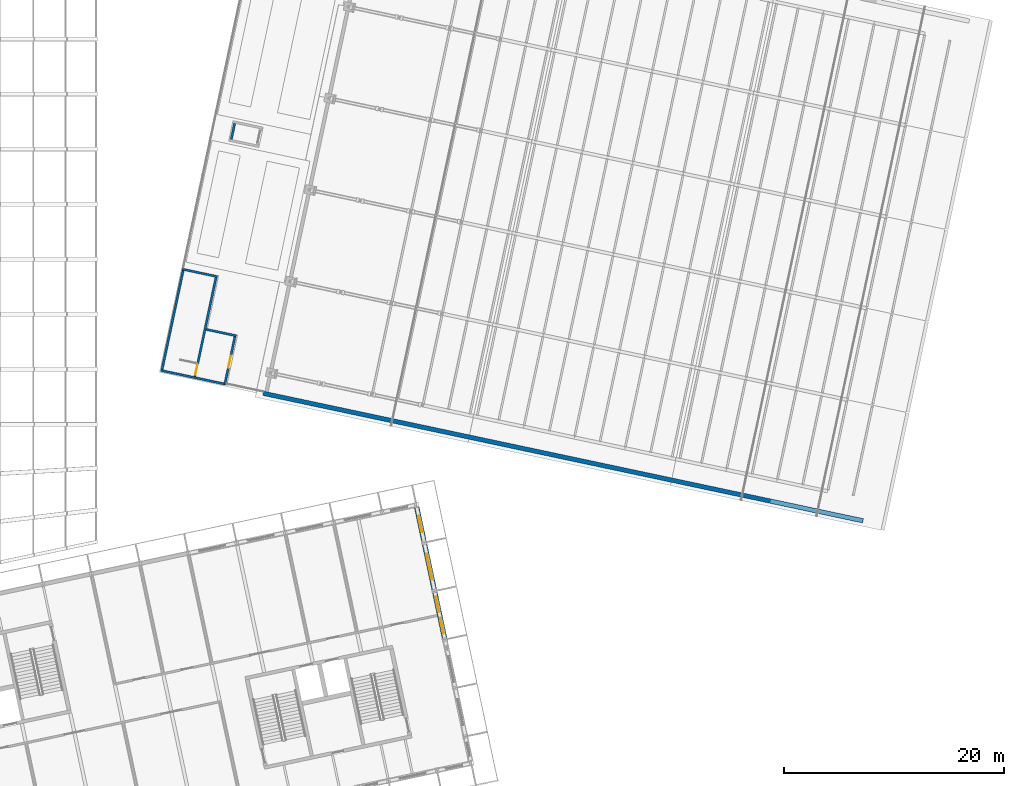
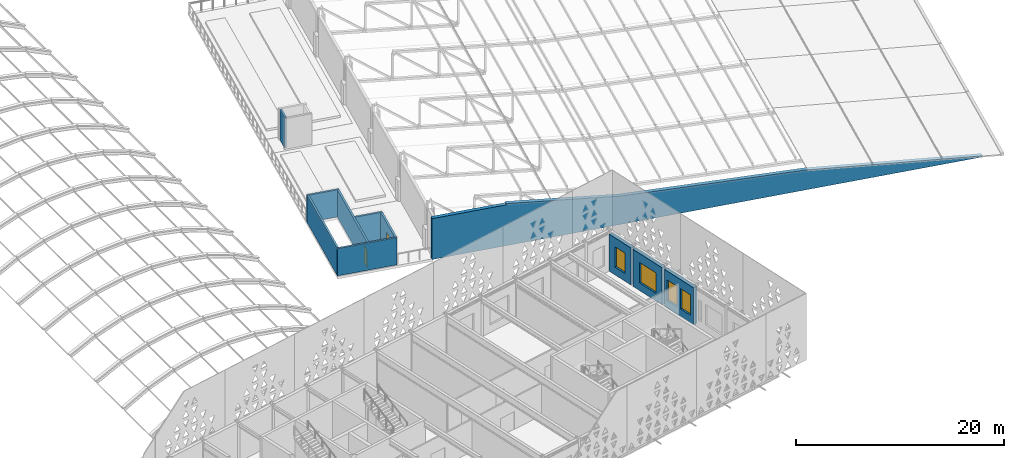
# One storey, part 126 of 196: 11 walls, 4 windows, 2 doors, 6 openings.
"""IFC4 building model written with IfcOpenShell, lengths in metres."""

from ifc_helpers import new_model, si_unit, direction, frame, frame_2d, origin, place, context, subcontext, project, spatial, polyline, rectangle, outline, extrude, material, layer, layer_set, type_object, element, fill, save


model = new_model("IFC4")

# Units and contexts
model_context = context("Model", 3, precision=1e-05, world=origin(), true_north=direction((0.0, 1.0)))
body_context = subcontext(model_context, "Body", "Model", "MODEL_VIEW")
ifc_project = project(units=[si_unit("LENGTHUNIT", "METRE"), si_unit("AREAUNIT", "SQUARE_METRE"), si_unit("VOLUMEUNIT", "CUBIC_METRE"), si_unit("PLANEANGLEUNIT", "RADIAN"), si_unit("MASSUNIT", "GRAM", prefix="KILO")], contexts=[model_context])

# Site, building, storey
site_placement = place(None, origin())
site = spatial("IfcSite", under=ifc_project, at=site_placement, CompositionType="ELEMENT")
building_placement = place(site_placement, origin())
building = spatial("IfcBuilding", under=site, at=building_placement, Name="Okhra Congress Centre", CompositionType="ELEMENT")
storey_placement = place(building_placement, frame((0.0, 0.0, 12.0)))
storey = spatial("IfcBuildingStorey", under=building, at=storey_placement, Name="L02", CompositionType="ELEMENT", Elevation=12.0)

# Wall, openings, windows
ifc_material_1 = material(Name="Insulated metal panel on steel stud (mineral wool, vapour barrier)", Category="steel")
ifc_layer_1 = layer(ifc_material_1, 0.449951171875)
ifc_layer_set_1 = layer_set([ifc_layer_1], Name="Insulated wall 450")
wall_type_1 = type_object("IfcWallType", Name="Insulated wall 450", PredefinedType="SOLIDWALL", material=ifc_layer_set_1)
wall_1_placement = place(storey_placement, frame((215.753662109375, 71.60595703125, 0.0), z_axis=(0.0, 0.0, 1.0), x_axis=(-0.207873355681, 0.978155748334, 0.0)))
wall_1 = element("IfcWall", 1, at=wall_1_placement, inside=storey, type_object=wall_type_1, Name="External wall E4 L02", PredefinedType="SOLIDWALL", context=body_context, shape_type="SweptSolid", body=[
    extrude(rectangle(XDim=4.199951171875, YDim=0.449951171875, at=frame_2d((2.10009765625, 0.0))), origin(), (0.0, 0.0, 1.0), 4.35009765625),
])
opening_1_placement = place(wall_1_placement, frame((0.39990234375, 0.0, 0.89990234375)))
opening_1 = element("IfcOpeningElement", 2, at=opening_1_placement, cuts=wall_1, Name="Opening WN28", PredefinedType="OPENING", context=body_context, shape_type="SweptSolid", body=[
    extrude(rectangle(XDim=1.455078125, YDim=2.39990234375, at=frame_2d((0.7275390625, 1.199951171875))), frame((0.0, 0.23486328125, 0.0), z_axis=(0.0, -1.0, 0.0), x_axis=(1.0, 0.0, 0.0)), (0.0, 0.0, 1.0), 0.469970703125),
])
opening_2_placement = place(wall_1_placement, frame((2.405029296875, 0.0, 0.89990234375)))
opening_2 = element("IfcOpeningElement", 3, at=opening_2_placement, cuts=wall_1, Name="Opening WN29", PredefinedType="OPENING", context=body_context, shape_type="SweptSolid", body=[
    extrude(rectangle(XDim=1.39501953125, YDim=2.39990234375, at=frame_2d((0.697509765625, 1.199951171875))), frame((0.0, 0.23486328125, 0.0), z_axis=(0.0, -1.0, 0.0), x_axis=(1.0, 0.0, 0.0)), (0.0, 0.0, 1.0), 0.469970703125),
])
ifc_material_2 = material(Name="Thermally broken aluminium frame, triple glazing", Category="aluminium")
window_type_1 = type_object("IfcWindowType", Name="Fixed window 1395x2400", PartitioningType="SINGLE_PANEL", PredefinedType="WINDOW", material=ifc_material_2)
window_1_placement = place(opening_2_placement, origin())
window_1 = element("IfcWindow", 4, at=window_1_placement, inside=storey, type_object=window_type_1, Name="BX.WIN.L02.77", OverallHeight=2.39990234375, OverallWidth=1.39501953125, PartitioningType="SINGLE_PANEL", PredefinedType="WINDOW", context=body_context, shape_type="SweptSolid", body=[
    extrude(rectangle(XDim=1.39501953125, YDim=2.39990234375, at=frame_2d((0.697509765625, 1.199951171875))), frame((0.0, 0.030029296875, 0.0), z_axis=(0.0, -1.0, 0.0), x_axis=(1.0, 0.0, 0.0)), (0.0, 0.0, 1.0), 0.06005859375),
])
fill(opening_2, window_1)
window_type_2 = type_object("IfcWindowType", Name="Fixed window 1455x2400", PartitioningType="SINGLE_PANEL", PredefinedType="WINDOW", material=ifc_material_2)
window_2_placement = place(opening_1_placement, origin())
window_2 = element("IfcWindow", 5, at=window_2_placement, inside=storey, type_object=window_type_2, Name="BX.WIN.L02.76", OverallHeight=2.39990234375, OverallWidth=1.455078125, PartitioningType="SINGLE_PANEL", PredefinedType="WINDOW", context=body_context, shape_type="SweptSolid", body=[
    extrude(rectangle(XDim=1.455078125, YDim=2.39990234375, at=frame_2d((0.7275390625, 1.199951171875))), frame((0.0, 0.030029296875, 0.0), z_axis=(0.0, -1.0, 0.0), x_axis=(1.0, 0.0, 0.0)), (0.0, 0.0, 1.0), 0.06005859375),
])
fill(opening_1, window_2)

# Wall, opening, window
wall_2_placement = place(storey_placement, frame((214.818115234375, 76.007568359375, 0.0), z_axis=(0.0, 0.0, 1.0), x_axis=(-0.207917150959, 0.978146440129, 0.0)))
wall_2 = element("IfcWall", 6, at=wall_2_placement, inside=storey, type_object=wall_type_1, Name="External wall E5 L02", PredefinedType="SOLIDWALL", context=body_context, shape_type="SweptSolid", body=[
    extrude(rectangle(XDim=4.2001953125, YDim=0.449951171875, at=frame_2d((2.10009765625, 0.0))), origin(), (0.0, 0.0, 1.0), 4.35009765625),
])
opening_3_placement = place(wall_2_placement, frame((0.89990234375, 0.0, 0.89990234375)))
opening_3 = element("IfcOpeningElement", 7, at=opening_3_placement, cuts=wall_2, Name="Opening WN22", PredefinedType="OPENING", context=body_context, shape_type="SweptSolid", body=[
    extrude(rectangle(XDim=2.39990234375, YDim=2.39990234375, at=frame_2d((1.199951171875, 1.199951171875))), frame((0.0, 0.23486328125, 0.0), z_axis=(0.0, -1.0, 0.0), x_axis=(1.0, 0.0, 0.0)), (0.0, 0.0, 1.0), 0.469970703125),
])
window_type_3 = type_object("IfcWindowType", Name="Fixed window 2400x2400", PartitioningType="SINGLE_PANEL", PredefinedType="WINDOW", material=ifc_material_2)
window_3_placement = place(opening_3_placement, origin())
window_3 = element("IfcWindow", 8, at=window_3_placement, inside=storey, type_object=window_type_3, Name="BX.WIN.L02.78", OverallHeight=2.39990234375, OverallWidth=2.39990234375, PartitioningType="SINGLE_PANEL", PredefinedType="WINDOW", context=body_context, shape_type="SweptSolid", body=[
    extrude(rectangle(XDim=2.39990234375, YDim=2.39990234375, at=frame_2d((1.199951171875, 1.199951171875))), frame((0.0, 0.030029296875, 0.0), z_axis=(0.0, -1.0, 0.0), x_axis=(1.0, 0.0, 0.0)), (0.0, 0.0, 1.0), 0.06005859375),
])
fill(opening_3, window_3)

wall_3_placement = place(storey_placement, frame((213.882568359375, 80.409423828125, 0.0), z_axis=(0.0, 0.0, 1.0), x_axis=(-0.207933268122, 0.978143014087, 0.0)))
wall_3 = element("IfcWall", 9, at=wall_3_placement, inside=storey, type_object=wall_type_1, Name="External wall E6 L02", PredefinedType="SOLIDWALL", context=body_context, shape_type="SweptSolid", body=[
    extrude(rectangle(XDim=3.135009765625, YDim=0.449951171875, at=frame_2d((1.5673828125, 0.0))), origin(), (0.0, 0.0, 1.0), 4.35009765625),
])
opening_4_placement = place(wall_3_placement, frame((0.8173828125, 0.0, 0.89990234375)))
opening_4 = element("IfcOpeningElement", 10, at=opening_4_placement, cuts=wall_3, Name="Opening WN20", PredefinedType="OPENING", context=body_context, shape_type="SweptSolid", body=[
    extrude(rectangle(XDim=1.5, YDim=2.39990234375, at=frame_2d((0.75, 1.199951171875))), frame((0.0, 0.23486328125, 0.0), z_axis=(0.0, -1.0, 0.0), x_axis=(1.0, 0.0, 0.0)), (0.0, 0.0, 1.0), 0.469970703125),
])
window_type_4 = type_object("IfcWindowType", Name="Fixed window 1500x2400", PartitioningType="SINGLE_PANEL", PredefinedType="WINDOW", material=ifc_material_2)
window_4_placement = place(opening_4_placement, origin())
window_4 = element("IfcWindow", 11, at=window_4_placement, inside=storey, type_object=window_type_4, Name="BX.WIN.L02.79", OverallHeight=2.39990234375, OverallWidth=1.5, PartitioningType="SINGLE_PANEL", PredefinedType="WINDOW", context=body_context, shape_type="SweptSolid", body=[
    extrude(rectangle(XDim=1.5, YDim=2.39990234375, at=frame_2d((0.75, 1.199951171875))), frame((0.0, 0.030029296875, 0.0), z_axis=(0.0, -1.0, 0.0), x_axis=(1.0, 0.0, 0.0)), (0.0, 0.0, 1.0), 0.06005859375),
])
fill(opening_4, window_4)

# Walls
ifc_material_3 = material(Name="Insulated metal sandwich panel (mineral wool core)")
ifc_layer_2 = layer(ifc_material_3, 0.39990234375)
ifc_layer_set_2 = layer_set([ifc_layer_2], Name="Insulated wall panel 400")
wall_type_2 = type_object("IfcWallType", Name="Insulated wall panel 400", PredefinedType="SOLIDWALL", material=ifc_layer_set_2)
wall_4_placement = place(storey_placement, frame((199.2802734375, 93.822998046875, 0.0), z_axis=(0.0, 0.0, 1.0), x_axis=(0.978147752931, -0.207910974786, 0.0)))
element("IfcWall", 12, at=wall_4_placement, inside=storey, type_object=wall_type_2, Name="Ballroom south wall L02", PredefinedType="SOLIDWALL", context=body_context, shape_type="SweptSolid", body=[
    extrude(outline(polyline([(0.0, 0.0), (55.692626953125, 0.0), (55.692626953125, 0.14990234375), (37.8701171875, 2.33837890625), (19.070068359375, 3.323486328125), (7.498779296875, 4.949951171875), (7.497802734375, 4.800048828125), (0.0, 4.800048828125), (0.0, 0.0)])), frame((0.0, 0.199951171875, 0.0), z_axis=(0.0, -1.0, 0.0), x_axis=(1.0, 0.0, 0.0)), (0.0, 0.0, 1.0), 0.39990234375),
])
ifc_material_4 = material(Name="Concrete C30/37", Category="concrete")
ifc_layer_3 = layer(ifc_material_4, 0.199951171875)
ifc_layer_set_3 = layer_set([ifc_layer_3], Name="RC wall 200 REI 120 C30/37")
wall_type_3 = type_object("IfcWallType", Name="RC wall 200 REI 120 C30/37", PredefinedType="SOLIDWALL", material=ifc_layer_set_3)
wall_5_placement = place(storey_placement, frame((189.979248046875, 95.902099609375, 0.0), z_axis=(0.0, 0.0, 1.0), x_axis=(0.978148901478, -0.207905571204, 0.0)))
element("IfcWall", 13, at=wall_5_placement, inside=storey, type_object=wall_type_3, Name="Gallery stair cell and lobby south wall L02", PredefinedType="SOLIDWALL", context=body_context, shape_type="SweptSolid", body=[
    extrude(rectangle(XDim=6.0498046875, YDim=0.199951171875, at=frame_2d((3.02490234375, 0.0))), origin(), (0.0, 0.0, 1.0), 3.199951171875),
])
wall_6_placement = place(storey_placement, frame((190.076904296875, 95.88134765625, 0.0), z_axis=(0.0, 0.0, 1.0), x_axis=(0.207909931549, 0.978147974676, 0.0)))
element("IfcWall", 14, at=wall_6_placement, inside=storey, type_object=wall_type_3, Name="Gallery stair cell west wall L02", PredefinedType="SOLIDWALL", context=body_context, shape_type="SweptSolid", body=[
    extrude(rectangle(XDim=9.300048828125, YDim=0.199951171875, at=frame_2d((4.64990234375, 0.0))), origin(), (0.0, 0.0, 1.0), 3.199951171875),
])
wall_7_placement = place(storey_placement, frame((191.93359375, 105.0966796875, 0.0), z_axis=(0.0, 0.0, 1.0), x_axis=(0.978158278153, -0.207861451167, 0.0)))
element("IfcWall", 15, at=wall_7_placement, inside=storey, type_object=wall_type_3, Name="Gallery stair cell north wall L02", PredefinedType="SOLIDWALL", context=body_context, shape_type="SweptSolid", body=[
    extrude(rectangle(XDim=3.25, YDim=0.199951171875, at=frame_2d((1.625, 0.0))), origin(), (0.0, 0.0, 1.0), 3.199951171875),
])

# Wall, opening, door
wall_8_placement = place(storey_placement, frame((193.060302734375, 95.247314453125, 0.0), z_axis=(0.0, 0.0, 1.0), x_axis=(0.207915270313, 0.978146839882, 0.0)))
wall_8 = element("IfcWall", 16, at=wall_8_placement, inside=storey, type_object=wall_type_3, Name="Gallery stair cell east wall L02", PredefinedType="SOLIDWALL", context=body_context, shape_type="SweptSolid", body=[
    extrude(rectangle(XDim=9.2998046875, YDim=0.199951171875, at=frame_2d((4.64990234375, 0.0))), origin(), (0.0, 0.0, 1.0), 3.199951171875),
])
opening_5_placement = place(wall_8_placement, frame((0.25, 0.0, 0.0)))
opening_5 = element("IfcOpeningElement", 17, at=opening_5_placement, cuts=wall_8, Name="Opening L02-001", PredefinedType="OPENING", context=body_context, shape_type="SweptSolid", body=[
    extrude(rectangle(XDim=1.0, YDim=2.10009765625, at=frame_2d((0.5, 1.050048828125))), frame((0.0, 0.10986328125, 0.0), z_axis=(0.0, -1.0, 0.0), x_axis=(1.0, 0.0, 0.0)), (0.0, 0.0, 1.0), 0.219970703125),
])
ifc_material_5 = material(Name="Timber door leaf in steel frame", Category="steel")
door_type_1 = type_object("IfcDoorType", Name="Single swing door 1000x2100 EI 30", OperationType="NOTDEFINED", PredefinedType="DOOR", material=ifc_material_5)
door_1_placement = place(opening_5_placement, frame((1.0, 0.0, 0.0), z_axis=(0.0, 0.0, 1.0), x_axis=(-1.0, 0.0, 0.0)))
door_1 = element("IfcDoor", 18, at=door_1_placement, inside=storey, type_object=door_type_1, Name="Gallery stair door L02", OperationType="SINGLE_SWING_RIGHT", OverallHeight=2.10009765625, OverallWidth=1.0, PredefinedType="DOOR", context=body_context, shape_type="SweptSolid", body=[
    extrude(rectangle(XDim=1.0, YDim=2.10009765625, at=frame_2d((0.5, 1.050048828125))), frame((0.0, 0.02490234375, 0.0), z_axis=(0.0, -1.0, 0.0), x_axis=(1.0, 0.0, 0.0)), (0.0, 0.0, 1.0), 0.050048828125),
])
fill(opening_5, door_1)

# Wall
wall_9_placement = place(storey_placement, frame((194.09375, 99.628173828125, 0.0), z_axis=(0.0, 0.0, 1.0), x_axis=(0.978138015478, -0.207956780791, 0.0)))
element("IfcWall", 19, at=wall_9_placement, inside=storey, type_object=wall_type_3, Name="Gallery stair lobby north wall L02", PredefinedType="SOLIDWALL", context=body_context, shape_type="SweptSolid", body=[
    extrude(rectangle(XDim=2.800048828125, YDim=0.199951171875, at=frame_2d((1.39990234375, 0.0))), origin(), (0.0, 0.0, 1.0), 3.199951171875),
])

# Wall, opening, door
wall_10_placement = place(storey_placement, frame((195.799072265625, 94.6650390625, 0.0), z_axis=(0.0, 0.0, 1.0), x_axis=(0.207956302845, 0.978138117091, 0.0)))
wall_10 = element("IfcWall", 20, at=wall_10_placement, inside=storey, type_object=wall_type_3, Name="Gallery stair lobby east wall L02", PredefinedType="SOLIDWALL", context=body_context, shape_type="SweptSolid", body=[
    extrude(rectangle(XDim=4.400146484375, YDim=0.199951171875, at=frame_2d((2.2001953125, 0.0))), origin(), (0.0, 0.0, 1.0), 3.199951171875),
])
opening_6_placement = place(wall_10_placement, frame((1.5, 0.0, 0.0)))
opening_6 = element("IfcOpeningElement", 21, at=opening_6_placement, cuts=wall_10, Name="Opening L02-002", PredefinedType="OPENING", context=body_context, shape_type="SweptSolid", body=[
    extrude(rectangle(XDim=1.10009765625, YDim=2.10009765625, at=frame_2d((0.550048828125, 1.050048828125))), frame((0.0, 0.10986328125, 0.0), z_axis=(0.0, -1.0, 0.0), x_axis=(1.0, 0.0, 0.0)), (0.0, 0.0, 1.0), 0.219970703125),
])
door_type_2 = type_object("IfcDoorType", Name="Single swing door 1100x2100 EI 30", OperationType="NOTDEFINED", PredefinedType="DOOR", material=ifc_material_5)
door_2_placement = place(opening_6_placement, frame((1.10009765625, 0.0, 0.0), z_axis=(0.0, 0.0, 1.0), x_axis=(-1.0, 0.0, 0.0)))
door_2 = element("IfcDoor", 22, at=door_2_placement, inside=storey, type_object=door_type_2, Name="Terrace stair lobby door", OperationType="SINGLE_SWING_LEFT", OverallHeight=2.10009765625, OverallWidth=1.10009765625, PredefinedType="DOOR", context=body_context, shape_type="SweptSolid", body=[
    extrude(rectangle(XDim=1.10009765625, YDim=2.10009765625, at=frame_2d((0.550048828125, 1.050048828125))), frame((0.0, 0.02490234375, 0.0), z_axis=(0.0, -1.0, 0.0), x_axis=(1.0, 0.0, 0.0)), (0.0, 0.0, 1.0), 0.050048828125),
])
fill(opening_6, door_2)

# Wall
wall_11_placement = place(storey_placement, frame((196.380615234375, 116.879638671875, 0.0), z_axis=(0.0, 0.0, 1.0), x_axis=(0.20783929028, 0.978162987143, 0.0)))
element("IfcWall", 23, at=wall_11_placement, inside=storey, type_object=wall_type_3, Name="Gallery lift shaft west wall", PredefinedType="SOLIDWALL", context=body_context, shape_type="SweptSolid", body=[
    extrude(rectangle(XDim=1.5, YDim=0.199951171875, at=frame_2d((0.75, 0.0))), origin(), (0.0, 0.0, 1.0), 3.60009765625),
])

save(model, "model.ifc")
